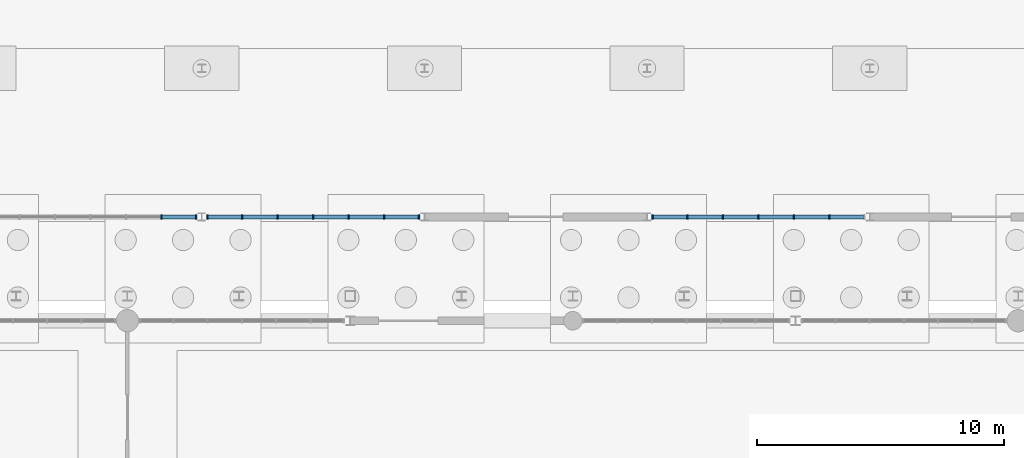
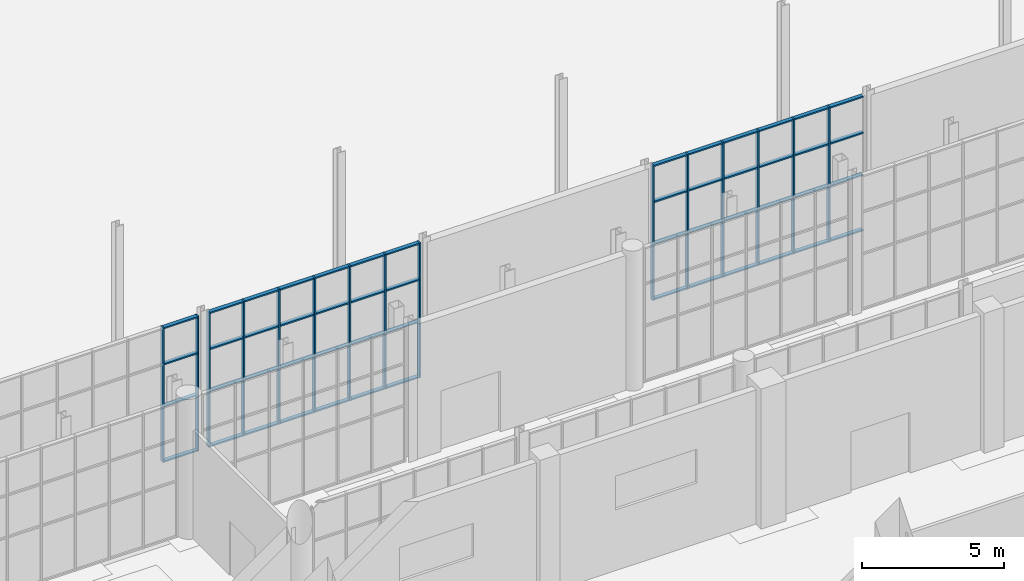
# One storey, part 58 of 131: 67 members, 3 elements without a shape of their own.
"""IFC4 building model written with IfcOpenShell, lengths in metres."""

from ifc_helpers import new_model, si_unit, direction, frame, origin, origin_2d, place, context, subcontext, project, spatial, rectangle, extrude, material, layer, layer_set, material_profile, profile_set, type_object, element, aggregate, save


model = new_model("IFC4")

# Units and contexts
model_context = context("Model", 3, precision=1e-05, world=origin(), true_north=direction((0.0, 1.0)))
body_context = subcontext(model_context, "Body", "Model", "MODEL_VIEW")
ifc_project = project(units=[si_unit("LENGTHUNIT", "METRE"), si_unit("AREAUNIT", "SQUARE_METRE"), si_unit("VOLUMEUNIT", "CUBIC_METRE"), si_unit("PLANEANGLEUNIT", "RADIAN"), si_unit("MASSUNIT", "GRAM", prefix="KILO")], contexts=[model_context])

# Site, building, storey
site_placement = place(None, origin())
site = spatial("IfcSite", under=ifc_project, at=site_placement, CompositionType="ELEMENT")
building_placement = place(site_placement, origin())
building = spatial("IfcBuilding", under=site, at=building_placement, Name="Cazmaro Siding Exhibition Halls", CompositionType="ELEMENT")
storey_placement = place(building_placement, origin())
storey = spatial("IfcBuildingStorey", under=building, at=storey_placement, Name="L00", CompositionType="ELEMENT", Elevation=0.0)

# Curtain wall, members
ifc_material_1 = material(Name="Anodized Bronze Aluminum and Solar-Control Low-E Glazing", Category="aluminium")
ifc_layer = layer(ifc_material_1, 0.179931640625)
ifc_layer_set = layer_set([ifc_layer], Name="Anodized Bronze Aluminum and Solar-Control Low-E Glazing")
curtain_wall_type = type_object("IfcCurtainWallType", Name="CWS-01", PredefinedType="USERDEFINED", material=ifc_layer_set)
curtain_wall_1_placement = place(storey_placement, origin())
curtain_wall_1 = element("IfcCurtainWall", 1, at=curtain_wall_1_placement, inside=storey, type_object=curtain_wall_type, Name="Glazed Curtain Wall CWS-01 CW-016", ObjectType="GLAZED CURTAIN WALL", PredefinedType="USERDEFINED")
ifc_material_2 = material(Name="Anodized Bronze Extruded Aluminum", Category="aluminium")
ifc_material_profile_1 = material_profile(ifc_material_2, rectangle(XDim=0.179931640625, YDim=0.06005859375, at=origin_2d()), Name="CWM-01")
ifc_profile_set_1 = profile_set([ifc_material_profile_1], Name="Anodized Bronze Extruded Aluminum")
member_type_1 = type_object("IfcMemberType", Name="CWM-01", PredefinedType="MULLION", material=ifc_profile_set_1)
member_1_placement = place(storey_placement, frame((91.36865234375, 67.199951171875, 0.0), z_axis=(0.0, 0.0, 1.0), x_axis=(0.0, 1.0, 0.0)))
member_1 = element("IfcMember", 2, at=member_1_placement, type_object=member_type_1, Name="CWS-01 mullion 6", PredefinedType="MULLION", context=body_context, shape_type="SweptSolid", body=[
    extrude(rectangle(XDim=0.179931640625, YDim=0.06005859375, at=origin_2d()), origin(), (0.0, 0.0, 1.0), 5.780029296875),
])
member_2_placement = place(storey_placement, frame((92.77294921875, 67.199951171875, 0.0), z_axis=(0.0, 0.0, 1.0), x_axis=(0.0, 1.0, 0.0)))
member_2 = element("IfcMember", 3, at=member_2_placement, type_object=member_type_1, Name="CWS-01 mullion 7", PredefinedType="MULLION", context=body_context, shape_type="SweptSolid", body=[
    extrude(rectangle(XDim=0.179931640625, YDim=0.06005859375, at=origin_2d()), origin(), (0.0, 0.0, 1.0), 5.780029296875),
])

curtain_wall_2_placement = place(storey_placement, origin())
curtain_wall_2 = element("IfcCurtainWall", 4, at=curtain_wall_2_placement, inside=storey, type_object=curtain_wall_type, Name="Glazed Curtain Wall CWS-01 CW-019", ObjectType="GLAZED CURTAIN WALL", PredefinedType="USERDEFINED")
member_3_placement = place(storey_placement, frame((93.22705078125, 67.199951171875, 0.0), z_axis=(0.0, 0.0, 1.0), x_axis=(0.0, 1.0, 0.0)))
member_3 = element("IfcMember", 5, at=member_3_placement, type_object=member_type_1, Name="CWS-01 mullion 1", PredefinedType="MULLION", context=body_context, shape_type="SweptSolid", body=[
    extrude(rectangle(XDim=0.179931640625, YDim=0.06005859375, at=origin_2d()), origin(), (0.0, 0.0, 1.0), 5.780029296875),
])
member_4_placement = place(storey_placement, frame((94.63134765625, 67.199951171875, 0.0), z_axis=(0.0, 0.0, 1.0), x_axis=(0.0, 1.0, 0.0)))
member_4 = element("IfcMember", 6, at=member_4_placement, type_object=member_type_1, Name="CWS-01 mullion 2", PredefinedType="MULLION", context=body_context, shape_type="SweptSolid", body=[
    extrude(rectangle(XDim=0.179931640625, YDim=0.06005859375, at=origin_2d()), origin(), (0.0, 0.0, 1.0), 5.780029296875),
])
member_5_placement = place(storey_placement, frame((96.065673828125, 67.199951171875, 0.0), z_axis=(0.0, 0.0, 1.0), x_axis=(0.0, 1.0, 0.0)))
member_5 = element("IfcMember", 7, at=member_5_placement, type_object=member_type_1, Name="CWS-01 mullion 3", PredefinedType="MULLION", context=body_context, shape_type="SweptSolid", body=[
    extrude(rectangle(XDim=0.179931640625, YDim=0.06005859375, at=origin_2d()), origin(), (0.0, 0.0, 1.0), 5.780029296875),
])
member_6_placement = place(storey_placement, frame((97.5, 67.199951171875, 0.0), z_axis=(0.0, 0.0, 1.0), x_axis=(0.0, 1.0, 0.0)))
member_6 = element("IfcMember", 8, at=member_6_placement, type_object=member_type_1, Name="CWS-01 mullion 4", PredefinedType="MULLION", context=body_context, shape_type="SweptSolid", body=[
    extrude(rectangle(XDim=0.179931640625, YDim=0.06005859375, at=origin_2d()), origin(), (0.0, 0.0, 1.0), 5.780029296875),
])
member_7_placement = place(storey_placement, frame((98.934326171875, 67.199951171875, 0.0), z_axis=(0.0, 0.0, 1.0), x_axis=(0.0, 1.0, 0.0)))
member_7 = element("IfcMember", 9, at=member_7_placement, type_object=member_type_1, Name="CWS-01 mullion 5", PredefinedType="MULLION", context=body_context, shape_type="SweptSolid", body=[
    extrude(rectangle(XDim=0.179931640625, YDim=0.06005859375, at=origin_2d()), origin(), (0.0, 0.0, 1.0), 5.780029296875),
])
member_8_placement = place(storey_placement, frame((100.36865234375, 67.199951171875, 0.0), z_axis=(0.0, 0.0, 1.0), x_axis=(0.0, 1.0, 0.0)))
member_8 = element("IfcMember", 10, at=member_8_placement, type_object=member_type_1, Name="CWS-01 mullion 6", PredefinedType="MULLION", context=body_context, shape_type="SweptSolid", body=[
    extrude(rectangle(XDim=0.179931640625, YDim=0.06005859375, at=origin_2d()), origin(), (0.0, 0.0, 1.0), 5.780029296875),
])
member_9_placement = place(storey_placement, frame((101.77294921875, 67.199951171875, 0.0), z_axis=(0.0, 0.0, 1.0), x_axis=(0.0, 1.0, 0.0)))
member_9 = element("IfcMember", 11, at=member_9_placement, type_object=member_type_1, Name="CWS-01 mullion 7", PredefinedType="MULLION", context=body_context, shape_type="SweptSolid", body=[
    extrude(rectangle(XDim=0.179931640625, YDim=0.06005859375, at=origin_2d()), origin(), (0.0, 0.0, 1.0), 5.780029296875),
])

curtain_wall_3_placement = place(storey_placement, origin())
curtain_wall_3 = element("IfcCurtainWall", 12, at=curtain_wall_3_placement, inside=storey, type_object=curtain_wall_type, Name="Glazed Curtain Wall CWS-01 CW-027", ObjectType="GLAZED CURTAIN WALL", PredefinedType="USERDEFINED")
member_10_placement = place(storey_placement, frame((111.22705078125, 67.199951171875, 0.0), z_axis=(0.0, 0.0, 1.0), x_axis=(0.0, 1.0, 0.0)))
member_10 = element("IfcMember", 13, at=member_10_placement, type_object=member_type_1, Name="CWS-01 mullion 1", PredefinedType="MULLION", context=body_context, shape_type="SweptSolid", body=[
    extrude(rectangle(XDim=0.179931640625, YDim=0.06005859375, at=origin_2d()), origin(), (0.0, 0.0, 1.0), 5.780029296875),
])
member_11_placement = place(storey_placement, frame((112.63134765625, 67.199951171875, 0.0), z_axis=(0.0, 0.0, 1.0), x_axis=(0.0, 1.0, 0.0)))
member_11 = element("IfcMember", 14, at=member_11_placement, type_object=member_type_1, Name="CWS-01 mullion 2", PredefinedType="MULLION", context=body_context, shape_type="SweptSolid", body=[
    extrude(rectangle(XDim=0.179931640625, YDim=0.06005859375, at=origin_2d()), origin(), (0.0, 0.0, 1.0), 5.780029296875),
])
member_12_placement = place(storey_placement, frame((114.065673828125, 67.199951171875, 0.0), z_axis=(0.0, 0.0, 1.0), x_axis=(0.0, 1.0, 0.0)))
member_12 = element("IfcMember", 15, at=member_12_placement, type_object=member_type_1, Name="CWS-01 mullion 3", PredefinedType="MULLION", context=body_context, shape_type="SweptSolid", body=[
    extrude(rectangle(XDim=0.179931640625, YDim=0.06005859375, at=origin_2d()), origin(), (0.0, 0.0, 1.0), 5.780029296875),
])
member_13_placement = place(storey_placement, frame((115.5, 67.199951171875, 0.0), z_axis=(0.0, 0.0, 1.0), x_axis=(0.0, 1.0, 0.0)))
member_13 = element("IfcMember", 16, at=member_13_placement, type_object=member_type_1, Name="CWS-01 mullion 4", PredefinedType="MULLION", context=body_context, shape_type="SweptSolid", body=[
    extrude(rectangle(XDim=0.179931640625, YDim=0.06005859375, at=origin_2d()), origin(), (0.0, 0.0, 1.0), 5.780029296875),
])
member_14_placement = place(storey_placement, frame((116.934326171875, 67.199951171875, 0.0), z_axis=(0.0, 0.0, 1.0), x_axis=(0.0, 1.0, 0.0)))
member_14 = element("IfcMember", 17, at=member_14_placement, type_object=member_type_1, Name="CWS-01 mullion 5", PredefinedType="MULLION", context=body_context, shape_type="SweptSolid", body=[
    extrude(rectangle(XDim=0.179931640625, YDim=0.06005859375, at=origin_2d()), origin(), (0.0, 0.0, 1.0), 5.780029296875),
])
member_15_placement = place(storey_placement, frame((118.36865234375, 67.199951171875, 0.0), z_axis=(0.0, 0.0, 1.0), x_axis=(0.0, 1.0, 0.0)))
member_15 = element("IfcMember", 18, at=member_15_placement, type_object=member_type_1, Name="CWS-01 mullion 6", PredefinedType="MULLION", context=body_context, shape_type="SweptSolid", body=[
    extrude(rectangle(XDim=0.179931640625, YDim=0.06005859375, at=origin_2d()), origin(), (0.0, 0.0, 1.0), 5.780029296875),
])

# Member
ifc_material_3 = material(Name="Anodized Bronze Extruded Aluminum", Category="aluminium")
ifc_material_profile_2 = material_profile(ifc_material_3, rectangle(XDim=0.159912109375, YDim=0.06005859375, at=origin_2d()), Name="CWT-01")
ifc_profile_set_2 = profile_set([ifc_material_profile_2], Name="Anodized Bronze Extruded Aluminum")
member_type_2 = type_object("IfcMemberType", Name="CWT-01", PredefinedType="MULLION", material=ifc_profile_set_2)
member_16_placement = place(storey_placement, frame((91.398681640625, 67.199951171875, 0.030029296875), z_axis=(1.0, 0.0, 0.0), x_axis=(0.0, 1.0, 0.0)))
member_16 = element("IfcMember", 19, at=member_16_placement, type_object=member_type_2, Name="CWS-01 transom 6.1", ObjectType="TRANSOM", PredefinedType="USERDEFINED", context=body_context, shape_type="SweptSolid", body=[
    extrude(rectangle(XDim=0.159912109375, YDim=0.06005859375, at=origin_2d()), origin(), (0.0, 0.0, 1.0), 1.34423828125),
])

member_17_placement = place(storey_placement, frame((91.398681640625, 67.199951171875, 2.39990234375), z_axis=(1.0, 0.0, 0.0), x_axis=(0.0, 1.0, 0.0)))
member_17 = element("IfcMember", 20, at=member_17_placement, type_object=member_type_2, Name="CWS-01 transom 6.2", ObjectType="TRANSOM", PredefinedType="USERDEFINED", context=body_context, shape_type="SweptSolid", body=[
    extrude(rectangle(XDim=0.159912109375, YDim=0.06005859375, at=origin_2d()), origin(), (0.0, 0.0, 1.0), 1.34423828125),
])

member_18_placement = place(storey_placement, frame((91.398681640625, 67.199951171875, 4.199951171875), z_axis=(1.0, 0.0, 0.0), x_axis=(0.0, 1.0, 0.0)))
member_18 = element("IfcMember", 21, at=member_18_placement, type_object=member_type_2, Name="CWS-01 transom 6.3", ObjectType="TRANSOM", PredefinedType="USERDEFINED", context=body_context, shape_type="SweptSolid", body=[
    extrude(rectangle(XDim=0.159912109375, YDim=0.06005859375, at=origin_2d()), origin(), (0.0, 0.0, 1.0), 1.34423828125),
])

member_19_placement = place(storey_placement, frame((91.398681640625, 67.199951171875, 5.75), z_axis=(1.0, 0.0, 0.0), x_axis=(0.0, 1.0, 0.0)))
member_19 = element("IfcMember", 22, at=member_19_placement, type_object=member_type_2, Name="CWS-01 transom 6.4", ObjectType="TRANSOM", PredefinedType="USERDEFINED", context=body_context, shape_type="SweptSolid", body=[
    extrude(rectangle(XDim=0.159912109375, YDim=0.06005859375, at=origin_2d()), origin(), (0.0, 0.0, 1.0), 1.34423828125),
])

aggregate(curtain_wall_1, [member_1, member_2, member_16, member_17, member_18, member_19])

member_20_placement = place(storey_placement, frame((93.257080078125, 67.199951171875, 0.030029296875), z_axis=(1.0, 0.0, 0.0), x_axis=(0.0, 1.0, 0.0)))
member_20 = element("IfcMember", 23, at=member_20_placement, type_object=member_type_2, Name="CWS-01 transom 1.1", ObjectType="TRANSOM", PredefinedType="USERDEFINED", context=body_context, shape_type="SweptSolid", body=[
    extrude(rectangle(XDim=0.159912109375, YDim=0.06005859375, at=origin_2d()), origin(), (0.0, 0.0, 1.0), 1.34423828125),
])

member_21_placement = place(storey_placement, frame((93.257080078125, 67.199951171875, 2.39990234375), z_axis=(1.0, 0.0, 0.0), x_axis=(0.0, 1.0, 0.0)))
member_21 = element("IfcMember", 24, at=member_21_placement, type_object=member_type_2, Name="CWS-01 transom 1.2", ObjectType="TRANSOM", PredefinedType="USERDEFINED", context=body_context, shape_type="SweptSolid", body=[
    extrude(rectangle(XDim=0.159912109375, YDim=0.06005859375, at=origin_2d()), origin(), (0.0, 0.0, 1.0), 1.34423828125),
])

member_22_placement = place(storey_placement, frame((93.257080078125, 67.199951171875, 4.199951171875), z_axis=(1.0, 0.0, 0.0), x_axis=(0.0, 1.0, 0.0)))
member_22 = element("IfcMember", 25, at=member_22_placement, type_object=member_type_2, Name="CWS-01 transom 1.3", ObjectType="TRANSOM", PredefinedType="USERDEFINED", context=body_context, shape_type="SweptSolid", body=[
    extrude(rectangle(XDim=0.159912109375, YDim=0.06005859375, at=origin_2d()), origin(), (0.0, 0.0, 1.0), 1.34423828125),
])

member_23_placement = place(storey_placement, frame((93.257080078125, 67.199951171875, 5.75), z_axis=(1.0, 0.0, 0.0), x_axis=(0.0, 1.0, 0.0)))
member_23 = element("IfcMember", 26, at=member_23_placement, type_object=member_type_2, Name="CWS-01 transom 1.4", ObjectType="TRANSOM", PredefinedType="USERDEFINED", context=body_context, shape_type="SweptSolid", body=[
    extrude(rectangle(XDim=0.159912109375, YDim=0.06005859375, at=origin_2d()), origin(), (0.0, 0.0, 1.0), 1.34423828125),
])

member_24_placement = place(storey_placement, frame((94.661376953125, 67.199951171875, 0.030029296875), z_axis=(1.0, 0.0, 0.0), x_axis=(0.0, 1.0, 0.0)))
member_24 = element("IfcMember", 27, at=member_24_placement, type_object=member_type_2, Name="CWS-01 transom 2.1", ObjectType="TRANSOM", PredefinedType="USERDEFINED", context=body_context, shape_type="SweptSolid", body=[
    extrude(rectangle(XDim=0.159912109375, YDim=0.06005859375, at=origin_2d()), origin(), (0.0, 0.0, 1.0), 1.374267578125),
])

member_25_placement = place(storey_placement, frame((94.661376953125, 67.199951171875, 2.39990234375), z_axis=(1.0, 0.0, 0.0), x_axis=(0.0, 1.0, 0.0)))
member_25 = element("IfcMember", 28, at=member_25_placement, type_object=member_type_2, Name="CWS-01 transom 2.2", ObjectType="TRANSOM", PredefinedType="USERDEFINED", context=body_context, shape_type="SweptSolid", body=[
    extrude(rectangle(XDim=0.159912109375, YDim=0.06005859375, at=origin_2d()), origin(), (0.0, 0.0, 1.0), 1.374267578125),
])

member_26_placement = place(storey_placement, frame((94.661376953125, 67.199951171875, 4.199951171875), z_axis=(1.0, 0.0, 0.0), x_axis=(0.0, 1.0, 0.0)))
member_26 = element("IfcMember", 29, at=member_26_placement, type_object=member_type_2, Name="CWS-01 transom 2.3", ObjectType="TRANSOM", PredefinedType="USERDEFINED", context=body_context, shape_type="SweptSolid", body=[
    extrude(rectangle(XDim=0.159912109375, YDim=0.06005859375, at=origin_2d()), origin(), (0.0, 0.0, 1.0), 1.374267578125),
])

member_27_placement = place(storey_placement, frame((94.661376953125, 67.199951171875, 5.75), z_axis=(1.0, 0.0, 0.0), x_axis=(0.0, 1.0, 0.0)))
member_27 = element("IfcMember", 30, at=member_27_placement, type_object=member_type_2, Name="CWS-01 transom 2.4", ObjectType="TRANSOM", PredefinedType="USERDEFINED", context=body_context, shape_type="SweptSolid", body=[
    extrude(rectangle(XDim=0.159912109375, YDim=0.06005859375, at=origin_2d()), origin(), (0.0, 0.0, 1.0), 1.374267578125),
])

member_28_placement = place(storey_placement, frame((96.095703125, 67.199951171875, 0.030029296875), z_axis=(1.0, 0.0, 0.0), x_axis=(0.0, 1.0, 0.0)))
member_28 = element("IfcMember", 31, at=member_28_placement, type_object=member_type_2, Name="CWS-01 transom 3.1", ObjectType="TRANSOM", PredefinedType="USERDEFINED", context=body_context, shape_type="SweptSolid", body=[
    extrude(rectangle(XDim=0.159912109375, YDim=0.06005859375, at=origin_2d()), origin(), (0.0, 0.0, 1.0), 1.374267578125),
])

member_29_placement = place(storey_placement, frame((96.095703125, 67.199951171875, 2.39990234375), z_axis=(1.0, 0.0, 0.0), x_axis=(0.0, 1.0, 0.0)))
member_29 = element("IfcMember", 32, at=member_29_placement, type_object=member_type_2, Name="CWS-01 transom 3.2", ObjectType="TRANSOM", PredefinedType="USERDEFINED", context=body_context, shape_type="SweptSolid", body=[
    extrude(rectangle(XDim=0.159912109375, YDim=0.06005859375, at=origin_2d()), origin(), (0.0, 0.0, 1.0), 1.374267578125),
])

member_30_placement = place(storey_placement, frame((96.095703125, 67.199951171875, 4.199951171875), z_axis=(1.0, 0.0, 0.0), x_axis=(0.0, 1.0, 0.0)))
member_30 = element("IfcMember", 33, at=member_30_placement, type_object=member_type_2, Name="CWS-01 transom 3.3", ObjectType="TRANSOM", PredefinedType="USERDEFINED", context=body_context, shape_type="SweptSolid", body=[
    extrude(rectangle(XDim=0.159912109375, YDim=0.06005859375, at=origin_2d()), origin(), (0.0, 0.0, 1.0), 1.374267578125),
])

member_31_placement = place(storey_placement, frame((96.095703125, 67.199951171875, 5.75), z_axis=(1.0, 0.0, 0.0), x_axis=(0.0, 1.0, 0.0)))
member_31 = element("IfcMember", 34, at=member_31_placement, type_object=member_type_2, Name="CWS-01 transom 3.4", ObjectType="TRANSOM", PredefinedType="USERDEFINED", context=body_context, shape_type="SweptSolid", body=[
    extrude(rectangle(XDim=0.159912109375, YDim=0.06005859375, at=origin_2d()), origin(), (0.0, 0.0, 1.0), 1.374267578125),
])

member_32_placement = place(storey_placement, frame((97.530029296875, 67.199951171875, 0.030029296875), z_axis=(1.0, 0.0, 0.0), x_axis=(0.0, 1.0, 0.0)))
member_32 = element("IfcMember", 35, at=member_32_placement, type_object=member_type_2, Name="CWS-01 transom 4.1", ObjectType="TRANSOM", PredefinedType="USERDEFINED", context=body_context, shape_type="SweptSolid", body=[
    extrude(rectangle(XDim=0.159912109375, YDim=0.06005859375, at=origin_2d()), origin(), (0.0, 0.0, 1.0), 1.374267578125),
])

member_33_placement = place(storey_placement, frame((97.530029296875, 67.199951171875, 2.39990234375), z_axis=(1.0, 0.0, 0.0), x_axis=(0.0, 1.0, 0.0)))
member_33 = element("IfcMember", 36, at=member_33_placement, type_object=member_type_2, Name="CWS-01 transom 4.2", ObjectType="TRANSOM", PredefinedType="USERDEFINED", context=body_context, shape_type="SweptSolid", body=[
    extrude(rectangle(XDim=0.159912109375, YDim=0.06005859375, at=origin_2d()), origin(), (0.0, 0.0, 1.0), 1.374267578125),
])

member_34_placement = place(storey_placement, frame((97.530029296875, 67.199951171875, 4.199951171875), z_axis=(1.0, 0.0, 0.0), x_axis=(0.0, 1.0, 0.0)))
member_34 = element("IfcMember", 37, at=member_34_placement, type_object=member_type_2, Name="CWS-01 transom 4.3", ObjectType="TRANSOM", PredefinedType="USERDEFINED", context=body_context, shape_type="SweptSolid", body=[
    extrude(rectangle(XDim=0.159912109375, YDim=0.06005859375, at=origin_2d()), origin(), (0.0, 0.0, 1.0), 1.374267578125),
])

member_35_placement = place(storey_placement, frame((97.530029296875, 67.199951171875, 5.75), z_axis=(1.0, 0.0, 0.0), x_axis=(0.0, 1.0, 0.0)))
member_35 = element("IfcMember", 38, at=member_35_placement, type_object=member_type_2, Name="CWS-01 transom 4.4", ObjectType="TRANSOM", PredefinedType="USERDEFINED", context=body_context, shape_type="SweptSolid", body=[
    extrude(rectangle(XDim=0.159912109375, YDim=0.06005859375, at=origin_2d()), origin(), (0.0, 0.0, 1.0), 1.374267578125),
])

member_36_placement = place(storey_placement, frame((98.96435546875, 67.199951171875, 0.030029296875), z_axis=(1.0, 0.0, 0.0), x_axis=(0.0, 1.0, 0.0)))
member_36 = element("IfcMember", 39, at=member_36_placement, type_object=member_type_2, Name="CWS-01 transom 5.1", ObjectType="TRANSOM", PredefinedType="USERDEFINED", context=body_context, shape_type="SweptSolid", body=[
    extrude(rectangle(XDim=0.159912109375, YDim=0.06005859375, at=origin_2d()), origin(), (0.0, 0.0, 1.0), 1.374267578125),
])

member_37_placement = place(storey_placement, frame((98.96435546875, 67.199951171875, 2.39990234375), z_axis=(1.0, 0.0, 0.0), x_axis=(0.0, 1.0, 0.0)))
member_37 = element("IfcMember", 40, at=member_37_placement, type_object=member_type_2, Name="CWS-01 transom 5.2", ObjectType="TRANSOM", PredefinedType="USERDEFINED", context=body_context, shape_type="SweptSolid", body=[
    extrude(rectangle(XDim=0.159912109375, YDim=0.06005859375, at=origin_2d()), origin(), (0.0, 0.0, 1.0), 1.374267578125),
])

member_38_placement = place(storey_placement, frame((98.96435546875, 67.199951171875, 4.199951171875), z_axis=(1.0, 0.0, 0.0), x_axis=(0.0, 1.0, 0.0)))
member_38 = element("IfcMember", 41, at=member_38_placement, type_object=member_type_2, Name="CWS-01 transom 5.3", ObjectType="TRANSOM", PredefinedType="USERDEFINED", context=body_context, shape_type="SweptSolid", body=[
    extrude(rectangle(XDim=0.159912109375, YDim=0.06005859375, at=origin_2d()), origin(), (0.0, 0.0, 1.0), 1.374267578125),
])

member_39_placement = place(storey_placement, frame((98.96435546875, 67.199951171875, 5.75), z_axis=(1.0, 0.0, 0.0), x_axis=(0.0, 1.0, 0.0)))
member_39 = element("IfcMember", 42, at=member_39_placement, type_object=member_type_2, Name="CWS-01 transom 5.4", ObjectType="TRANSOM", PredefinedType="USERDEFINED", context=body_context, shape_type="SweptSolid", body=[
    extrude(rectangle(XDim=0.159912109375, YDim=0.06005859375, at=origin_2d()), origin(), (0.0, 0.0, 1.0), 1.374267578125),
])

member_40_placement = place(storey_placement, frame((100.398681640625, 67.199951171875, 0.030029296875), z_axis=(1.0, 0.0, 0.0), x_axis=(0.0, 1.0, 0.0)))
member_40 = element("IfcMember", 43, at=member_40_placement, type_object=member_type_2, Name="CWS-01 transom 6.1", ObjectType="TRANSOM", PredefinedType="USERDEFINED", context=body_context, shape_type="SweptSolid", body=[
    extrude(rectangle(XDim=0.159912109375, YDim=0.06005859375, at=origin_2d()), origin(), (0.0, 0.0, 1.0), 1.34423828125),
])

member_41_placement = place(storey_placement, frame((100.398681640625, 67.199951171875, 2.39990234375), z_axis=(1.0, 0.0, 0.0), x_axis=(0.0, 1.0, 0.0)))
member_41 = element("IfcMember", 44, at=member_41_placement, type_object=member_type_2, Name="CWS-01 transom 6.2", ObjectType="TRANSOM", PredefinedType="USERDEFINED", context=body_context, shape_type="SweptSolid", body=[
    extrude(rectangle(XDim=0.159912109375, YDim=0.06005859375, at=origin_2d()), origin(), (0.0, 0.0, 1.0), 1.34423828125),
])

member_42_placement = place(storey_placement, frame((100.398681640625, 67.199951171875, 4.199951171875), z_axis=(1.0, 0.0, 0.0), x_axis=(0.0, 1.0, 0.0)))
member_42 = element("IfcMember", 45, at=member_42_placement, type_object=member_type_2, Name="CWS-01 transom 6.3", ObjectType="TRANSOM", PredefinedType="USERDEFINED", context=body_context, shape_type="SweptSolid", body=[
    extrude(rectangle(XDim=0.159912109375, YDim=0.06005859375, at=origin_2d()), origin(), (0.0, 0.0, 1.0), 1.34423828125),
])

member_43_placement = place(storey_placement, frame((100.398681640625, 67.199951171875, 5.75), z_axis=(1.0, 0.0, 0.0), x_axis=(0.0, 1.0, 0.0)))
member_43 = element("IfcMember", 46, at=member_43_placement, type_object=member_type_2, Name="CWS-01 transom 6.4", ObjectType="TRANSOM", PredefinedType="USERDEFINED", context=body_context, shape_type="SweptSolid", body=[
    extrude(rectangle(XDim=0.159912109375, YDim=0.06005859375, at=origin_2d()), origin(), (0.0, 0.0, 1.0), 1.34423828125),
])

aggregate(curtain_wall_2, [member_3, member_4, member_5, member_6, member_7, member_8, member_9, member_20, member_21, member_22, member_23, member_24, member_25, member_26, member_27, member_28, member_29, member_30, member_31, member_32, member_33, member_34, member_35, member_36, member_37, member_38, member_39, member_40, member_41, member_42, member_43])

member_44_placement = place(storey_placement, frame((111.257080078125, 67.199951171875, 0.030029296875), z_axis=(1.0, 0.0, 0.0), x_axis=(0.0, 1.0, 0.0)))
member_44 = element("IfcMember", 47, at=member_44_placement, type_object=member_type_2, Name="CWS-01 transom 1.1", ObjectType="TRANSOM", PredefinedType="USERDEFINED", context=body_context, shape_type="SweptSolid", body=[
    extrude(rectangle(XDim=0.159912109375, YDim=0.06005859375, at=origin_2d()), origin(), (0.0, 0.0, 1.0), 1.34423828125),
])

member_45_placement = place(storey_placement, frame((111.257080078125, 67.199951171875, 2.39990234375), z_axis=(1.0, 0.0, 0.0), x_axis=(0.0, 1.0, 0.0)))
member_45 = element("IfcMember", 48, at=member_45_placement, type_object=member_type_2, Name="CWS-01 transom 1.2", ObjectType="TRANSOM", PredefinedType="USERDEFINED", context=body_context, shape_type="SweptSolid", body=[
    extrude(rectangle(XDim=0.159912109375, YDim=0.06005859375, at=origin_2d()), origin(), (0.0, 0.0, 1.0), 1.34423828125),
])

member_46_placement = place(storey_placement, frame((111.257080078125, 67.199951171875, 4.199951171875), z_axis=(1.0, 0.0, 0.0), x_axis=(0.0, 1.0, 0.0)))
member_46 = element("IfcMember", 49, at=member_46_placement, type_object=member_type_2, Name="CWS-01 transom 1.3", ObjectType="TRANSOM", PredefinedType="USERDEFINED", context=body_context, shape_type="SweptSolid", body=[
    extrude(rectangle(XDim=0.159912109375, YDim=0.06005859375, at=origin_2d()), origin(), (0.0, 0.0, 1.0), 1.34423828125),
])

member_47_placement = place(storey_placement, frame((111.257080078125, 67.199951171875, 5.75), z_axis=(1.0, 0.0, 0.0), x_axis=(0.0, 1.0, 0.0)))
member_47 = element("IfcMember", 50, at=member_47_placement, type_object=member_type_2, Name="CWS-01 transom 1.4", ObjectType="TRANSOM", PredefinedType="USERDEFINED", context=body_context, shape_type="SweptSolid", body=[
    extrude(rectangle(XDim=0.159912109375, YDim=0.06005859375, at=origin_2d()), origin(), (0.0, 0.0, 1.0), 1.34423828125),
])

member_48_placement = place(storey_placement, frame((112.661376953125, 67.199951171875, 0.030029296875), z_axis=(1.0, 0.0, 0.0), x_axis=(0.0, 1.0, 0.0)))
member_48 = element("IfcMember", 51, at=member_48_placement, type_object=member_type_2, Name="CWS-01 transom 2.1", ObjectType="TRANSOM", PredefinedType="USERDEFINED", context=body_context, shape_type="SweptSolid", body=[
    extrude(rectangle(XDim=0.159912109375, YDim=0.06005859375, at=origin_2d()), origin(), (0.0, 0.0, 1.0), 1.374267578125),
])

member_49_placement = place(storey_placement, frame((112.661376953125, 67.199951171875, 2.39990234375), z_axis=(1.0, 0.0, 0.0), x_axis=(0.0, 1.0, 0.0)))
member_49 = element("IfcMember", 52, at=member_49_placement, type_object=member_type_2, Name="CWS-01 transom 2.2", ObjectType="TRANSOM", PredefinedType="USERDEFINED", context=body_context, shape_type="SweptSolid", body=[
    extrude(rectangle(XDim=0.159912109375, YDim=0.06005859375, at=origin_2d()), origin(), (0.0, 0.0, 1.0), 1.374267578125),
])

member_50_placement = place(storey_placement, frame((112.661376953125, 67.199951171875, 4.199951171875), z_axis=(1.0, 0.0, 0.0), x_axis=(0.0, 1.0, 0.0)))
member_50 = element("IfcMember", 53, at=member_50_placement, type_object=member_type_2, Name="CWS-01 transom 2.3", ObjectType="TRANSOM", PredefinedType="USERDEFINED", context=body_context, shape_type="SweptSolid", body=[
    extrude(rectangle(XDim=0.159912109375, YDim=0.06005859375, at=origin_2d()), origin(), (0.0, 0.0, 1.0), 1.374267578125),
])

member_51_placement = place(storey_placement, frame((112.661376953125, 67.199951171875, 5.75), z_axis=(1.0, 0.0, 0.0), x_axis=(0.0, 1.0, 0.0)))
member_51 = element("IfcMember", 54, at=member_51_placement, type_object=member_type_2, Name="CWS-01 transom 2.4", ObjectType="TRANSOM", PredefinedType="USERDEFINED", context=body_context, shape_type="SweptSolid", body=[
    extrude(rectangle(XDim=0.159912109375, YDim=0.06005859375, at=origin_2d()), origin(), (0.0, 0.0, 1.0), 1.374267578125),
])

member_52_placement = place(storey_placement, frame((114.095703125, 67.199951171875, 0.030029296875), z_axis=(1.0, 0.0, 0.0), x_axis=(0.0, 1.0, 0.0)))
member_52 = element("IfcMember", 55, at=member_52_placement, type_object=member_type_2, Name="CWS-01 transom 3.1", ObjectType="TRANSOM", PredefinedType="USERDEFINED", context=body_context, shape_type="SweptSolid", body=[
    extrude(rectangle(XDim=0.159912109375, YDim=0.06005859375, at=origin_2d()), origin(), (0.0, 0.0, 1.0), 1.374267578125),
])

member_53_placement = place(storey_placement, frame((114.095703125, 67.199951171875, 2.39990234375), z_axis=(1.0, 0.0, 0.0), x_axis=(0.0, 1.0, 0.0)))
member_53 = element("IfcMember", 56, at=member_53_placement, type_object=member_type_2, Name="CWS-01 transom 3.2", ObjectType="TRANSOM", PredefinedType="USERDEFINED", context=body_context, shape_type="SweptSolid", body=[
    extrude(rectangle(XDim=0.159912109375, YDim=0.06005859375, at=origin_2d()), origin(), (0.0, 0.0, 1.0), 1.374267578125),
])

member_54_placement = place(storey_placement, frame((114.095703125, 67.199951171875, 4.199951171875), z_axis=(1.0, 0.0, 0.0), x_axis=(0.0, 1.0, 0.0)))
member_54 = element("IfcMember", 57, at=member_54_placement, type_object=member_type_2, Name="CWS-01 transom 3.3", ObjectType="TRANSOM", PredefinedType="USERDEFINED", context=body_context, shape_type="SweptSolid", body=[
    extrude(rectangle(XDim=0.159912109375, YDim=0.06005859375, at=origin_2d()), origin(), (0.0, 0.0, 1.0), 1.374267578125),
])

member_55_placement = place(storey_placement, frame((114.095703125, 67.199951171875, 5.75), z_axis=(1.0, 0.0, 0.0), x_axis=(0.0, 1.0, 0.0)))
member_55 = element("IfcMember", 58, at=member_55_placement, type_object=member_type_2, Name="CWS-01 transom 3.4", ObjectType="TRANSOM", PredefinedType="USERDEFINED", context=body_context, shape_type="SweptSolid", body=[
    extrude(rectangle(XDim=0.159912109375, YDim=0.06005859375, at=origin_2d()), origin(), (0.0, 0.0, 1.0), 1.374267578125),
])

member_56_placement = place(storey_placement, frame((115.530029296875, 67.199951171875, 0.030029296875), z_axis=(1.0, 0.0, 0.0), x_axis=(0.0, 1.0, 0.0)))
member_56 = element("IfcMember", 59, at=member_56_placement, type_object=member_type_2, Name="CWS-01 transom 4.1", ObjectType="TRANSOM", PredefinedType="USERDEFINED", context=body_context, shape_type="SweptSolid", body=[
    extrude(rectangle(XDim=0.159912109375, YDim=0.06005859375, at=origin_2d()), origin(), (0.0, 0.0, 1.0), 1.374267578125),
])

member_57_placement = place(storey_placement, frame((115.530029296875, 67.199951171875, 2.39990234375), z_axis=(1.0, 0.0, 0.0), x_axis=(0.0, 1.0, 0.0)))
member_57 = element("IfcMember", 60, at=member_57_placement, type_object=member_type_2, Name="CWS-01 transom 4.2", ObjectType="TRANSOM", PredefinedType="USERDEFINED", context=body_context, shape_type="SweptSolid", body=[
    extrude(rectangle(XDim=0.159912109375, YDim=0.06005859375, at=origin_2d()), origin(), (0.0, 0.0, 1.0), 1.374267578125),
])

member_58_placement = place(storey_placement, frame((115.530029296875, 67.199951171875, 4.199951171875), z_axis=(1.0, 0.0, 0.0), x_axis=(0.0, 1.0, 0.0)))
member_58 = element("IfcMember", 61, at=member_58_placement, type_object=member_type_2, Name="CWS-01 transom 4.3", ObjectType="TRANSOM", PredefinedType="USERDEFINED", context=body_context, shape_type="SweptSolid", body=[
    extrude(rectangle(XDim=0.159912109375, YDim=0.06005859375, at=origin_2d()), origin(), (0.0, 0.0, 1.0), 1.374267578125),
])

member_59_placement = place(storey_placement, frame((115.530029296875, 67.199951171875, 5.75), z_axis=(1.0, 0.0, 0.0), x_axis=(0.0, 1.0, 0.0)))
member_59 = element("IfcMember", 62, at=member_59_placement, type_object=member_type_2, Name="CWS-01 transom 4.4", ObjectType="TRANSOM", PredefinedType="USERDEFINED", context=body_context, shape_type="SweptSolid", body=[
    extrude(rectangle(XDim=0.159912109375, YDim=0.06005859375, at=origin_2d()), origin(), (0.0, 0.0, 1.0), 1.374267578125),
])

member_60_placement = place(storey_placement, frame((116.96435546875, 67.199951171875, 0.030029296875), z_axis=(1.0, 0.0, 0.0), x_axis=(0.0, 1.0, 0.0)))
member_60 = element("IfcMember", 63, at=member_60_placement, type_object=member_type_2, Name="CWS-01 transom 5.1", ObjectType="TRANSOM", PredefinedType="USERDEFINED", context=body_context, shape_type="SweptSolid", body=[
    extrude(rectangle(XDim=0.159912109375, YDim=0.06005859375, at=origin_2d()), origin(), (0.0, 0.0, 1.0), 1.374267578125),
])

member_61_placement = place(storey_placement, frame((116.96435546875, 67.199951171875, 2.39990234375), z_axis=(1.0, 0.0, 0.0), x_axis=(0.0, 1.0, 0.0)))
member_61 = element("IfcMember", 64, at=member_61_placement, type_object=member_type_2, Name="CWS-01 transom 5.2", ObjectType="TRANSOM", PredefinedType="USERDEFINED", context=body_context, shape_type="SweptSolid", body=[
    extrude(rectangle(XDim=0.159912109375, YDim=0.06005859375, at=origin_2d()), origin(), (0.0, 0.0, 1.0), 1.374267578125),
])

member_62_placement = place(storey_placement, frame((116.96435546875, 67.199951171875, 4.199951171875), z_axis=(1.0, 0.0, 0.0), x_axis=(0.0, 1.0, 0.0)))
member_62 = element("IfcMember", 65, at=member_62_placement, type_object=member_type_2, Name="CWS-01 transom 5.3", ObjectType="TRANSOM", PredefinedType="USERDEFINED", context=body_context, shape_type="SweptSolid", body=[
    extrude(rectangle(XDim=0.159912109375, YDim=0.06005859375, at=origin_2d()), origin(), (0.0, 0.0, 1.0), 1.374267578125),
])

member_63_placement = place(storey_placement, frame((116.96435546875, 67.199951171875, 5.75), z_axis=(1.0, 0.0, 0.0), x_axis=(0.0, 1.0, 0.0)))
member_63 = element("IfcMember", 66, at=member_63_placement, type_object=member_type_2, Name="CWS-01 transom 5.4", ObjectType="TRANSOM", PredefinedType="USERDEFINED", context=body_context, shape_type="SweptSolid", body=[
    extrude(rectangle(XDim=0.159912109375, YDim=0.06005859375, at=origin_2d()), origin(), (0.0, 0.0, 1.0), 1.374267578125),
])

member_64_placement = place(storey_placement, frame((118.398681640625, 67.199951171875, 0.030029296875), z_axis=(1.0, 0.0, 0.0), x_axis=(0.0, 1.0, 0.0)))
member_64 = element("IfcMember", 67, at=member_64_placement, type_object=member_type_2, Name="CWS-01 transom 6.1", ObjectType="TRANSOM", PredefinedType="USERDEFINED", context=body_context, shape_type="SweptSolid", body=[
    extrude(rectangle(XDim=0.159912109375, YDim=0.06005859375, at=origin_2d()), origin(), (0.0, 0.0, 1.0), 1.34423828125),
])

member_65_placement = place(storey_placement, frame((118.398681640625, 67.199951171875, 2.39990234375), z_axis=(1.0, 0.0, 0.0), x_axis=(0.0, 1.0, 0.0)))
member_65 = element("IfcMember", 68, at=member_65_placement, type_object=member_type_2, Name="CWS-01 transom 6.2", ObjectType="TRANSOM", PredefinedType="USERDEFINED", context=body_context, shape_type="SweptSolid", body=[
    extrude(rectangle(XDim=0.159912109375, YDim=0.06005859375, at=origin_2d()), origin(), (0.0, 0.0, 1.0), 1.34423828125),
])

member_66_placement = place(storey_placement, frame((118.398681640625, 67.199951171875, 4.199951171875), z_axis=(1.0, 0.0, 0.0), x_axis=(0.0, 1.0, 0.0)))
member_66 = element("IfcMember", 69, at=member_66_placement, type_object=member_type_2, Name="CWS-01 transom 6.3", ObjectType="TRANSOM", PredefinedType="USERDEFINED", context=body_context, shape_type="SweptSolid", body=[
    extrude(rectangle(XDim=0.159912109375, YDim=0.06005859375, at=origin_2d()), origin(), (0.0, 0.0, 1.0), 1.34423828125),
])

member_67_placement = place(storey_placement, frame((118.398681640625, 67.199951171875, 5.75), z_axis=(1.0, 0.0, 0.0), x_axis=(0.0, 1.0, 0.0)))
member_67 = element("IfcMember", 70, at=member_67_placement, type_object=member_type_2, Name="CWS-01 transom 6.4", ObjectType="TRANSOM", PredefinedType="USERDEFINED", context=body_context, shape_type="SweptSolid", body=[
    extrude(rectangle(XDim=0.159912109375, YDim=0.06005859375, at=origin_2d()), origin(), (0.0, 0.0, 1.0), 1.34423828125),
])

aggregate(curtain_wall_3, [member_10, member_11, member_12, member_13, member_14, member_15, member_44, member_45, member_46, member_47, member_48, member_49, member_50, member_51, member_52, member_53, member_54, member_55, member_56, member_57, member_58, member_59, member_60, member_61, member_62, member_63, member_64, member_65, member_66, member_67])

save(model, "model.ifc")
